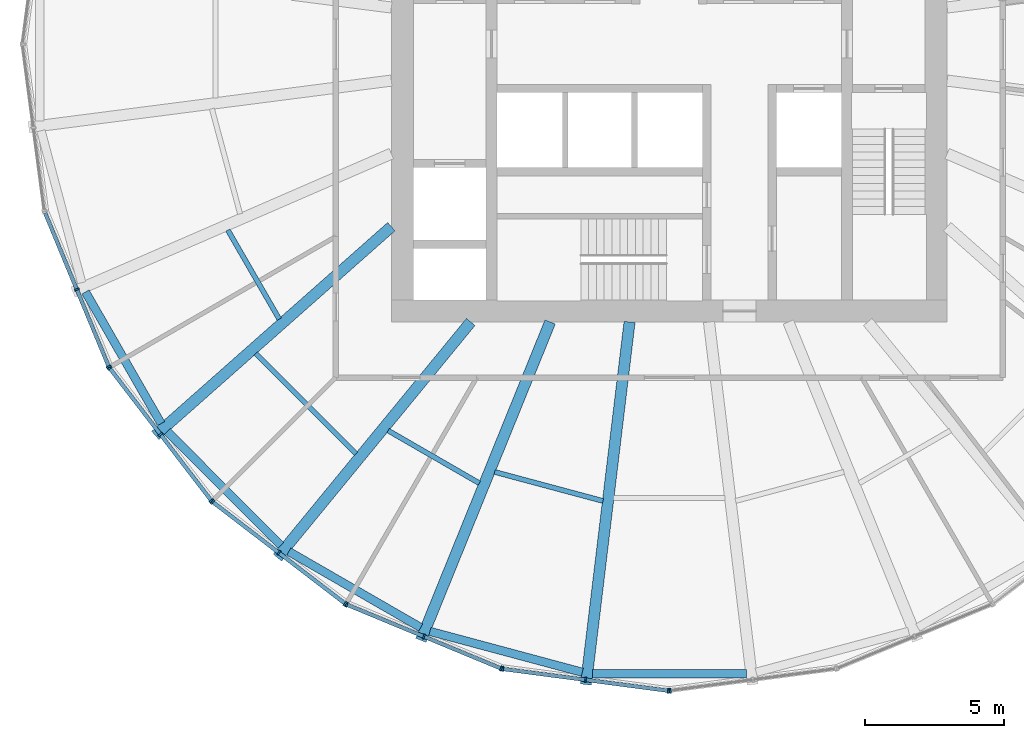
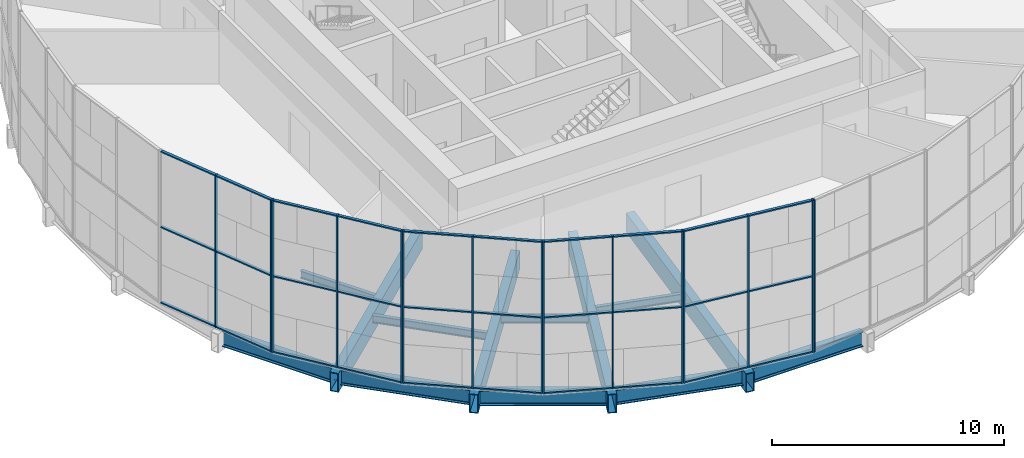
# One storey, part 1 of 18: 45 members, 13 beams, 6 elements without a shape of their own.
"""IFC4 building model written with IfcOpenShell, lengths in metres."""

import ifcopenshell
import ifcopenshell.guid

model = None  # the IFC model being written
_history = None  # IfcOwnerHistory: only IFC2X3 demands one
_inside = {}  # id of a spatial element -> (the spatial element, [elements in it])
_under = {}  # id of a project, library or spatial element -> (it, [spatial elements below it])
_declared = {}  # id of a project -> (the project, [libraries it declares])
_typed = {}  # id of a type object -> (the type object, [elements of that type])
_made_of = {}  # id of a material, layer set ... -> (it, [elements and type objects made of it])


def new_model(schema):
    """Start an empty IFC model of exactly this schema.

    Asked for "IFC4X3", IfcOpenShell would pick the latest addendum, in which some entities
    have other attributes; the version numbers below select the first issue.
    IFC2X3 requires an IfcOwnerHistory on every rooted entity: one is made here for all.
    """
    global model, _history
    if schema == "IFC4X3":
        model = ifcopenshell.file(schema_version=(4, 3, 0, 0))
    else:
        model = ifcopenshell.file(schema=schema)
    _inside.clear()
    _under.clear()
    _declared.clear()
    _typed.clear()
    _made_of.clear()
    _history = None
    if model.schema == "IFC2X3":
        org = make("IfcOrganization", Name="unknown")
        user = make(
            "IfcPersonAndOrganization",
            ThePerson=make("IfcPerson", FamilyName="unknown"),
            TheOrganization=org,
        )
        app = make(
            "IfcApplication",
            ApplicationDeveloper=org,
            Version="unknown",
            ApplicationFullName="unknown",
            ApplicationIdentifier="unknown",
        )
        _history = make(
            "IfcOwnerHistory",
            OwningUser=user,
            OwningApplication=app,
            ChangeAction="ADDED",
            CreationDate=0,
        )
    return model


def make(cls, **values):
    """One entity of the class cls with the attributes given. An attribute that is None is left unset."""
    return model.create_entity(
        cls, **{name: value for name, value in values.items() if value is not None}
    )


def rooted(cls, **values):
    """An entity with a GlobalId (a new one), such as an element, a storey or a relation."""
    return make(cls, GlobalId=ifcopenshell.guid.new(), OwnerHistory=_history, **values)


def si_unit(unit_type, name, prefix=None):
    """IfcSIUnit, for example si_unit("LENGTHUNIT", "METRE", prefix="MILLI")."""
    return make("IfcSIUnit", UnitType=unit_type, Prefix=prefix, Name=name)


def assignment(units):
    """IfcUnitAssignment: the units of a project."""
    return None if units is None else make("IfcUnitAssignment", Units=units)


def point(xyz):
    """IfcCartesianPoint."""
    return None if xyz is None else make("IfcCartesianPoint", Coordinates=xyz)


def direction(xyz):
    """IfcDirection."""
    return None if xyz is None else make("IfcDirection", DirectionRatios=xyz)


def frame(location, z_axis=None, x_axis=None):
    """IfcAxis2Placement3D, a coordinate frame: its origin and axes. An axis left out is left unset."""
    return make(
        "IfcAxis2Placement3D",
        Location=point(location),
        Axis=direction(z_axis),
        RefDirection=direction(x_axis),
    )


def frame_2d(location, x_axis=None):
    """IfcAxis2Placement2D, a coordinate frame in the plane: its origin and x axis."""
    return make(
        "IfcAxis2Placement2D", Location=point(location), RefDirection=direction(x_axis)
    )


def origin():
    """The frame at (0, 0, 0) with its axes left unset."""
    return frame((0.0, 0.0, 0.0))


def origin_2d():
    """The frame at (0, 0) in the plane with its x axis left unset."""
    return frame_2d((0.0, 0.0))


def place(relative_to, where):
    """IfcLocalPlacement: puts the frame where relative to a parent placement (None: the world)."""
    return make(
        "IfcLocalPlacement", PlacementRelTo=relative_to, RelativePlacement=where
    )


def context(
    kind, dimensions, precision=None, world=None, true_north=None, identifier=None
):
    """IfcGeometricRepresentationContext, for example the 3D "Model" context."""
    return make(
        "IfcGeometricRepresentationContext",
        ContextIdentifier=identifier,
        ContextType=kind,
        CoordinateSpaceDimension=dimensions,
        Precision=precision,
        WorldCoordinateSystem=world,
        TrueNorth=true_north,
    )


def subcontext(parent, identifier, kind, view, scale=None):
    """IfcGeometricRepresentationSubContext, for example "Body" below "Model"."""
    return make(
        "IfcGeometricRepresentationSubContext",
        ContextIdentifier=identifier,
        ContextType=kind,
        ParentContext=parent,
        TargetScale=scale,
        TargetView=view,
    )


def project(units=None, contexts=None):
    """IfcProject with its units and contexts."""
    return rooted(
        "IfcProject",
        Name="project",
        RepresentationContexts=contexts,
        UnitsInContext=assignment(units),
    )


def spatial(cls, under=None, at=None, **own):
    """A site, building, storey or space (cls), placed at a placement, below another one or the project."""
    s = rooted(cls, ObjectPlacement=at, **own)
    if under is not None:
        _under.setdefault(under.id(), (under, []))[1].append(s)
    return s


def profile(cls, at=None, kind="AREA", **sizes):
    """A parametric profile (cls). Its sizes go by their IFC names, for example OverallWidth=200.0."""
    return make(cls, ProfileType=kind, Position=at, **sizes)


def rectangle(**sizes):
    """IfcRectangleProfileDef."""
    return profile("IfcRectangleProfileDef", **sizes)


def hollow_rectangle(**sizes):
    """IfcRectangleHollowProfileDef."""
    return profile("IfcRectangleHollowProfileDef", **sizes)


def i_section(**sizes):
    """IfcIShapeProfileDef."""
    return profile("IfcIShapeProfileDef", **sizes)


def extrude(swept, where, along, depth):
    """IfcExtrudedAreaSolid: the profile swept, set in the frame where, extruded along a direction by depth."""
    return make(
        "IfcExtrudedAreaSolid",
        SweptArea=swept,
        Position=where,
        ExtrudedDirection=direction(along),
        Depth=depth,
    )


def shape(context_of_items, identifier, shape_type, items):
    """IfcShapeRepresentation: the items that make up one representation, for example the "Body"."""
    return make(
        "IfcShapeRepresentation",
        ContextOfItems=context_of_items,
        RepresentationIdentifier=identifier,
        RepresentationType=shape_type,
        Items=items,
    )


def material(Name=None, Category=None):
    """IfcMaterial."""
    return make("IfcMaterial", Name=Name, Category=Category)


def material_profile(
    of_material, cross_section, Name=None, Category=None, Priority=None
):
    """IfcMaterialProfile: a cross section and its material."""
    return make(
        "IfcMaterialProfile",
        Name=Name,
        Material=of_material,
        Profile=cross_section,
        Priority=Priority,
        Category=Category,
    )


def profile_set(profiles, Name=None, composite=None):
    """IfcMaterialProfileSet."""
    return make(
        "IfcMaterialProfileSet",
        Name=Name,
        MaterialProfiles=profiles,
        CompositeProfile=composite,
    )


def made_of(thing, what):
    """Note that an element or type object is made of a material, layer set ...; save() writes the relation."""
    if what is not None:
        _made_of.setdefault(what.id(), (what, []))[1].append(thing)
    return thing


def type_object(cls, material=None, **own):
    """A type object (cls), such as IfcWallType, which elements share."""
    return made_of(rooted(cls, **own), material)


def element(
    cls,
    number,
    at=None,
    inside=None,
    cuts=None,
    type_object=None,
    material=None,
    context=None,
    identifier="Body",
    shape_type=None,
    held_by="IfcProductDefinitionShape",
    body=None,
    shapes=None,
    **own,
):
    """One element of the class cls, such as IfcWall. Its Tag is "e" and its number.

    at: its placement. inside: the storey or other place that contains it. cuts: it is an
    opening in that element (IfcRelVoidsElement). A single representation is given by context,
    identifier, shape_type and body (its items); several are given by shapes. held_by: the class
    of the entity that holds the representations. save() writes the other relations.
    """
    e = rooted(cls, Tag="e%d" % number, ObjectPlacement=at, **own)
    if body is not None:
        shapes = [shape(context, identifier, shape_type, body)]
    if shapes is not None:
        e.Representation = make(held_by, Representations=shapes)
    if inside is not None:
        _inside.setdefault(inside.id(), (inside, []))[1].append(e)
    if cuts is not None:
        rooted(
            "IfcRelVoidsElement", RelatingBuildingElement=cuts, RelatedOpeningElement=e
        )
    if type_object is not None:
        _typed.setdefault(type_object.id(), (type_object, []))[1].append(e)
    return made_of(e, material)


def aggregate(whole, parts):
    """IfcRelAggregates: a whole, such as a stair, and the parts it consists of."""
    return rooted("IfcRelAggregates", RelatingObject=whole, RelatedObjects=parts)


def save(model, path):
    """Write the relations noted so far, then the file.

    IfcRelAggregates (storeys below a building ...), IfcRelContainedInSpatialStructure (elements
    in a storey), IfcRelDefinesByType, IfcRelAssociatesMaterial and IfcRelDeclares: one each for
    every whole, place, type object, material and project.
    """
    for whole, parts in _under.values():
        aggregate(whole, parts)
    for where, things in _inside.values():
        rooted(
            "IfcRelContainedInSpatialStructure",
            RelatedElements=things,
            RelatingStructure=where,
        )
    for kind, things in _typed.values():
        rooted("IfcRelDefinesByType", RelatedObjects=things, RelatingType=kind)
    for what, things in _made_of.values():
        rooted("IfcRelAssociatesMaterial", RelatedObjects=things, RelatingMaterial=what)
    for by, libraries in _declared.values():
        rooted("IfcRelDeclares", RelatingContext=by, RelatedDefinitions=libraries)
    model.write(path)


model = new_model("IFC4")

# Units and contexts
model_context = context("Model", 3, precision=1e-05, world=origin(), true_north=direction((0.0, 1.0)))
body_context = subcontext(model_context, "Body", "Model", "MODEL_VIEW")
ifc_project = project(units=[si_unit("LENGTHUNIT", "METRE"), si_unit("AREAUNIT", "SQUARE_METRE"), si_unit("VOLUMEUNIT", "CUBIC_METRE"), si_unit("PLANEANGLEUNIT", "RADIAN"), si_unit("MASSUNIT", "GRAM", prefix="KILO")], contexts=[model_context])

# Site, building, storey
site_placement = place(None, origin())
site = spatial("IfcSite", under=ifc_project, at=site_placement, CompositionType="ELEMENT")
building_placement = place(site_placement, origin())
building = spatial("IfcBuilding", under=site, at=building_placement, Name="Golbaran Civic Tower", CompositionType="ELEMENT")
storey_placement = place(building_placement, frame((0.0, 0.0, 45.0)))
storey = spatial("IfcBuildingStorey", under=building, at=storey_placement, Name="L10", CompositionType="ELEMENT", Elevation=45.0)

# Beams
ifc_material_1 = material(Name="Steel S355", Category="steel")
ifc_material_profile_1 = material_profile(ifc_material_1, i_section(OverallWidth=0.300048828125, OverallDepth=0.800048828125, WebThickness=0.017578125, FlangeThickness=0.032958984375, FilletRadius=0.030029296875, at=origin_2d()), Name="HEB 800")
ifc_profile_set_1 = profile_set([ifc_material_profile_1], Name="Steel S355")
beam_type_1 = type_object("IfcBeamType", Name="EDGE BEAM HEB 800", PredefinedType="BEAM", material=ifc_profile_set_1)
beam_1_placement = place(storey_placement, frame((-21.004150390625, -8.919677734375, -0.60009765625), z_axis=(0.498279627298, -0.86701638567, 0.0), x_axis=(0.86701638567, 0.498279627298, 0.0)))
element("IfcBeam", 1, at=beam_1_placement, inside=storey, type_object=beam_type_1, Name="Edge beam 202.60 L10", PredefinedType="BEAM", context=body_context, shape_type="SweptSolid", body=[
    extrude(i_section(OverallWidth=0.300048828125, OverallDepth=0.800048828125, WebThickness=0.017578125, FlangeThickness=0.032958984375, FilletRadius=0.030029296875, at=origin_2d()), origin(), (0.0, 0.0, 1.0), 5.461669921875),
])
beam_2_placement = place(storey_placement, frame((-18.063720703125, -13.94189453125, -0.60009765625), z_axis=(0.706495106586, -0.707717927122, 0.0), x_axis=(0.707717927122, 0.706495106586, 0.0)))
element("IfcBeam", 2, at=beam_2_placement, inside=storey, type_object=beam_type_1, Name="Edge beam 217.40 L10", PredefinedType="BEAM", context=body_context, shape_type="SweptSolid", body=[
    extrude(i_section(OverallWidth=0.300048828125, OverallDepth=0.800048828125, WebThickness=0.017578125, FlangeThickness=0.032958984375, FilletRadius=0.030029296875, at=origin_2d()), origin(), (0.0, 0.0, 1.0), 5.7900390625),
])
beam_3_placement = place(storey_placement, frame((-13.687255859375, -18.2587890625, -0.60009765625), z_axis=(0.866313230191, -0.499501138334, 0.0), x_axis=(0.499501138334, 0.866313230191, 0.0)))
element("IfcBeam", 3, at=beam_3_placement, inside=storey, type_object=beam_type_1, Name="Edge beam 232.60 L10", PredefinedType="BEAM", context=body_context, shape_type="SweptSolid", body=[
    extrude(i_section(OverallWidth=0.300048828125, OverallDepth=0.800048828125, WebThickness=0.017578125, FlangeThickness=0.032958984375, FilletRadius=0.030029296875, at=origin_2d()), origin(), (0.0, 0.0, 1.0), 5.4755859375),
])
beam_4_placement = place(storey_placement, frame((-8.61083984375, -21.131591796875, -0.60009765625), z_axis=(0.965816844102, -0.259225430173, 0.0), x_axis=(0.259225430173, 0.965816844102, 0.0)))
element("IfcBeam", 4, at=beam_4_placement, inside=storey, type_object=beam_type_1, Name="Edge beam 247.40 L10", PredefinedType="BEAM", context=body_context, shape_type="SweptSolid", body=[
    extrude(i_section(OverallWidth=0.300048828125, OverallDepth=0.800048828125, WebThickness=0.017578125, FlangeThickness=0.032958984375, FilletRadius=0.030029296875, at=origin_2d()), origin(), (0.0, 0.0, 1.0), 5.67724609375),
])
beam_5_placement = place(storey_placement, frame((-2.770751953125, -22.650390625, -0.60009765625), z_axis=(1.0, 0.0, 0.0), x_axis=(0.0, 1.0, 0.0)))
element("IfcBeam", 5, at=beam_5_placement, inside=storey, type_object=beam_type_1, Name="Edge beam 262.60 L10", PredefinedType="BEAM", context=body_context, shape_type="SweptSolid", body=[
    extrude(i_section(OverallWidth=0.300048828125, OverallDepth=0.800048828125, WebThickness=0.017578125, FlangeThickness=0.032958984375, FilletRadius=0.030029296875, at=origin_2d()), origin(), (0.0, 0.0, 1.0), 5.54150390625),
])
ifc_material_profile_2 = material_profile(ifc_material_1, i_section(OverallWidth=0.179931640625, OverallDepth=0.39990234375, WebThickness=0.008544921875, FlangeThickness=0.013427734375, FilletRadius=0.02099609375, at=origin_2d()), Name="IPE 400")
ifc_profile_set_2 = profile_set([ifc_material_profile_2], Name="Steel S355")
beam_type_2 = type_object("IfcBeamType", Name="FLOOR INFILL BEAM IPE 400", PredefinedType="BEAM", material=ifc_profile_set_2)
beam_6_placement = place(storey_placement, frame((-15.8818359375, -6.6943359375, -0.39990234375), z_axis=(0.500015802937, -0.866016279763, 0.0), x_axis=(0.866016279763, 0.500015802937, 0.0)))
element("IfcBeam", 6, at=beam_6_placement, inside=storey, type_object=beam_type_2, Name="Infill beam 210.00 L10", PredefinedType="BEAM", context=body_context, shape_type="SweptSolid", body=[
    extrude(i_section(OverallWidth=0.179931640625, OverallDepth=0.39990234375, WebThickness=0.008544921875, FlangeThickness=0.013427734375, FilletRadius=0.02099609375, at=origin_2d()), origin(), (0.0, 0.0, 1.0), 3.6982421875),
])
beam_7_placement = place(storey_placement, frame((-14.87890625, -11.125732421875, -0.39990234375), z_axis=(0.707130665491, -0.707082896075, 0.0), x_axis=(0.707082896075, 0.707130665491, 0.0)))
element("IfcBeam", 7, at=beam_7_placement, inside=storey, type_object=beam_type_2, Name="Infill beam 225.00 L10", PredefinedType="BEAM", context=body_context, shape_type="SweptSolid", body=[
    extrude(i_section(OverallWidth=0.179931640625, OverallDepth=0.39990234375, WebThickness=0.008544921875, FlangeThickness=0.013427734375, FilletRadius=0.02099609375, at=origin_2d()), origin(), (0.0, 0.0, 1.0), 5.11083984375),
])
beam_8_placement = place(storey_placement, frame((-10.115478515625, -13.90625, -0.39990234375), z_axis=(0.866049280635, -0.499958641801, 0.0), x_axis=(0.499958641801, 0.866049280635, 0.0)))
element("IfcBeam", 8, at=beam_8_placement, inside=storey, type_object=beam_type_2, Name="Infill beam 240.00 L10", PredefinedType="BEAM", context=body_context, shape_type="SweptSolid", body=[
    extrude(i_section(OverallWidth=0.179931640625, OverallDepth=0.39990234375, WebThickness=0.008544921875, FlangeThickness=0.013427734375, FilletRadius=0.02099609375, at=origin_2d()), origin(), (0.0, 0.0, 1.0), 3.787841796875),
])
beam_9_placement = place(storey_placement, frame((-6.2822265625, -15.395751953125, -0.39990234375), z_axis=(0.965921848055, -0.258833891619, 0.0), x_axis=(0.258833891619, 0.965921848055, 0.0)))
element("IfcBeam", 9, at=beam_9_placement, inside=storey, type_object=beam_type_2, Name="Infill beam 255.00 L10", PredefinedType="BEAM", context=body_context, shape_type="SweptSolid", body=[
    extrude(i_section(OverallWidth=0.179931640625, OverallDepth=0.39990234375, WebThickness=0.008544921875, FlangeThickness=0.013427734375, FilletRadius=0.02099609375, at=origin_2d()), origin(), (0.0, 0.0, 1.0), 4.0341796875),
])

# Curtain wall, members
ifc_material_2 = material(Name="Aluminium and glass", Category="aluminium")
curtain_wall_type = type_object("IfcCurtainWallType", Name="INNER SKIN CURTAIN WALL", PredefinedType="NOTDEFINED", material=ifc_material_2)
curtain_wall_1_placement = place(storey_placement, origin())
curtain_wall_1 = element("IfcCurtainWall", 10, at=curtain_wall_1_placement, inside=storey, type_object=curtain_wall_type, Name="Inner skin L10 facet 14 CW1", ObjectType="INNER SKIN", PredefinedType="USERDEFINED")
ifc_material_3 = material(Name="Aluminium", Category="aluminium")
ifc_material_profile_3 = material_profile(ifc_material_3, rectangle(XDim=0.179931640625, YDim=0.06494140625, at=origin_2d()), Name="INNER SKIN CURTAIN WALL MULLION")
ifc_profile_set_3 = profile_set([ifc_material_profile_3], Name="Aluminium")
member_type_1 = type_object("IfcMemberType", Name="INNER SKIN CURTAIN WALL MULLION", PredefinedType="MULLION", material=ifc_profile_set_3)
member_1_placement = place(storey_placement, frame((-21.315673828125, -8.829345703125, 0.0), z_axis=(0.0, 0.0, 1.0), x_axis=(0.923879532451, 0.38268343251, 0.0)))
member_1 = element("IfcMember", 11, at=member_1_placement, type_object=member_type_1, Name="CW1 mullion 2", PredefinedType="MULLION", context=body_context, shape_type="SweptSolid", body=[
    extrude(rectangle(XDim=0.179931640625, YDim=0.06494140625, at=origin_2d()), origin(), (0.0, 0.0, 1.0), 8.0),
])
member_2_placement = place(storey_placement, frame((-20.165771484375, -11.60546875, 0.0), z_axis=(0.0, 0.0, 1.0), x_axis=(0.923879532451, 0.38268343251, 0.0)))
member_2 = element("IfcMember", 12, at=member_2_placement, type_object=member_type_1, Name="CW1 mullion 3", PredefinedType="MULLION", context=body_context, shape_type="SweptSolid", body=[
    extrude(rectangle(XDim=0.179931640625, YDim=0.06494140625, at=origin_2d()), origin(), (0.0, 0.0, 1.0), 8.0),
])

curtain_wall_2_placement = place(storey_placement, origin())
curtain_wall_2 = element("IfcCurtainWall", 13, at=curtain_wall_2_placement, inside=storey, type_object=curtain_wall_type, Name="Inner skin L10 facet 15 CW1", ObjectType="INNER SKIN", PredefinedType="USERDEFINED")
member_3_placement = place(storey_placement, frame((-20.133544921875, -11.661376953125, 0.0), z_axis=(0.0, 0.0, 1.0), x_axis=(0.793353340334, 0.608761428953, 0.0)))
member_3 = element("IfcMember", 14, at=member_3_placement, type_object=member_type_1, Name="CW1 mullion 1", PredefinedType="MULLION", context=body_context, shape_type="SweptSolid", body=[
    extrude(rectangle(XDim=0.179931640625, YDim=0.06494140625, at=origin_2d()), origin(), (0.0, 0.0, 1.0), 8.0),
])
member_4_placement = place(storey_placement, frame((-18.30419921875, -14.04541015625, 0.0), z_axis=(0.0, 0.0, 1.0), x_axis=(0.793353340334, 0.608761428953, 0.0)))
member_4 = element("IfcMember", 15, at=member_4_placement, type_object=member_type_1, Name="CW1 mullion 2", PredefinedType="MULLION", context=body_context, shape_type="SweptSolid", body=[
    extrude(rectangle(XDim=0.179931640625, YDim=0.06494140625, at=origin_2d()), origin(), (0.0, 0.0, 1.0), 8.0),
])
member_5_placement = place(storey_placement, frame((-16.474853515625, -16.42919921875, 0.0), z_axis=(0.0, 0.0, 1.0), x_axis=(0.793353340334, 0.608761428953, 0.0)))
member_5 = element("IfcMember", 16, at=member_5_placement, type_object=member_type_1, Name="CW1 mullion 3", PredefinedType="MULLION", context=body_context, shape_type="SweptSolid", body=[
    extrude(rectangle(XDim=0.179931640625, YDim=0.06494140625, at=origin_2d()), origin(), (0.0, 0.0, 1.0), 8.0),
])

curtain_wall_3_placement = place(storey_placement, origin())
curtain_wall_3 = element("IfcCurtainWall", 17, at=curtain_wall_3_placement, inside=storey, type_object=curtain_wall_type, Name="Inner skin L10 facet 16 CW1", ObjectType="INNER SKIN", PredefinedType="USERDEFINED")
member_6_placement = place(storey_placement, frame((-16.42919921875, -16.474853515625, 0.0), z_axis=(0.0, 0.0, 1.0), x_axis=(0.608761428953, 0.793353340334, 0.0)))
member_6 = element("IfcMember", 18, at=member_6_placement, type_object=member_type_1, Name="CW1 mullion 1", PredefinedType="MULLION", context=body_context, shape_type="SweptSolid", body=[
    extrude(rectangle(XDim=0.179931640625, YDim=0.06494140625, at=origin_2d()), origin(), (0.0, 0.0, 1.0), 8.0),
])
member_7_placement = place(storey_placement, frame((-14.04541015625, -18.30419921875, 0.0), z_axis=(0.0, 0.0, 1.0), x_axis=(0.608761428953, 0.793353340334, 0.0)))
member_7 = element("IfcMember", 19, at=member_7_placement, type_object=member_type_1, Name="CW1 mullion 2", PredefinedType="MULLION", context=body_context, shape_type="SweptSolid", body=[
    extrude(rectangle(XDim=0.179931640625, YDim=0.06494140625, at=origin_2d()), origin(), (0.0, 0.0, 1.0), 8.0),
])
member_8_placement = place(storey_placement, frame((-11.661376953125, -20.133544921875, 0.0), z_axis=(0.0, 0.0, 1.0), x_axis=(0.608761428953, 0.793353340334, 0.0)))
member_8 = element("IfcMember", 20, at=member_8_placement, type_object=member_type_1, Name="CW1 mullion 3", PredefinedType="MULLION", context=body_context, shape_type="SweptSolid", body=[
    extrude(rectangle(XDim=0.179931640625, YDim=0.06494140625, at=origin_2d()), origin(), (0.0, 0.0, 1.0), 8.0),
])

curtain_wall_4_placement = place(storey_placement, origin())
curtain_wall_4 = element("IfcCurtainWall", 21, at=curtain_wall_4_placement, inside=storey, type_object=curtain_wall_type, Name="Inner skin L10 facet 17 CW1", ObjectType="INNER SKIN", PredefinedType="USERDEFINED")
member_9_placement = place(storey_placement, frame((-11.60546875, -20.165771484375, 0.0), z_axis=(0.0, 0.0, 1.0), x_axis=(0.38268343251, 0.923879532451, 0.0)))
member_9 = element("IfcMember", 22, at=member_9_placement, type_object=member_type_1, Name="CW1 mullion 1", PredefinedType="MULLION", context=body_context, shape_type="SweptSolid", body=[
    extrude(rectangle(XDim=0.179931640625, YDim=0.06494140625, at=origin_2d()), origin(), (0.0, 0.0, 1.0), 8.0),
])
member_10_placement = place(storey_placement, frame((-8.829345703125, -21.315673828125, 0.0), z_axis=(0.0, 0.0, 1.0), x_axis=(0.38268343251, 0.923879532451, 0.0)))
member_10 = element("IfcMember", 23, at=member_10_placement, type_object=member_type_1, Name="CW1 mullion 2", PredefinedType="MULLION", context=body_context, shape_type="SweptSolid", body=[
    extrude(rectangle(XDim=0.179931640625, YDim=0.06494140625, at=origin_2d()), origin(), (0.0, 0.0, 1.0), 8.0),
])
member_11_placement = place(storey_placement, frame((-6.052978515625, -22.465576171875, 0.0), z_axis=(0.0, 0.0, 1.0), x_axis=(0.38268343251, 0.923879532451, 0.0)))
member_11 = element("IfcMember", 24, at=member_11_placement, type_object=member_type_1, Name="CW1 mullion 3", PredefinedType="MULLION", context=body_context, shape_type="SweptSolid", body=[
    extrude(rectangle(XDim=0.179931640625, YDim=0.06494140625, at=origin_2d()), origin(), (0.0, 0.0, 1.0), 8.0),
])

curtain_wall_5_placement = place(storey_placement, origin())
curtain_wall_5 = element("IfcCurtainWall", 25, at=curtain_wall_5_placement, inside=storey, type_object=curtain_wall_type, Name="Inner skin L10 facet 18 CW1", ObjectType="INNER SKIN", PredefinedType="USERDEFINED")
member_12_placement = place(storey_placement, frame((-5.99072265625, -22.482421875, 0.0), z_axis=(0.0, 0.0, 1.0), x_axis=(0.130526192134, 0.991444861385, 0.0)))
member_12 = element("IfcMember", 26, at=member_12_placement, type_object=member_type_1, Name="CW1 mullion 1", PredefinedType="MULLION", context=body_context, shape_type="SweptSolid", body=[
    extrude(rectangle(XDim=0.179931640625, YDim=0.06494140625, at=origin_2d()), origin(), (0.0, 0.0, 1.0), 8.0),
])
member_13_placement = place(storey_placement, frame((-3.011474609375, -22.87451171875, 0.0), z_axis=(0.0, 0.0, 1.0), x_axis=(0.130526192134, 0.991444861385, 0.0)))
member_13 = element("IfcMember", 27, at=member_13_placement, type_object=member_type_1, Name="CW1 mullion 2", PredefinedType="MULLION", context=body_context, shape_type="SweptSolid", body=[
    extrude(rectangle(XDim=0.179931640625, YDim=0.06494140625, at=origin_2d()), origin(), (0.0, 0.0, 1.0), 8.0),
])
member_14_placement = place(storey_placement, frame((-0.0322265625, -23.266845703125, 0.0), z_axis=(0.0, 0.0, 1.0), x_axis=(0.130526192134, 0.991444861385, 0.0)))
member_14 = element("IfcMember", 28, at=member_14_placement, type_object=member_type_1, Name="CW1 mullion 3", PredefinedType="MULLION", context=body_context, shape_type="SweptSolid", body=[
    extrude(rectangle(XDim=0.179931640625, YDim=0.06494140625, at=origin_2d()), origin(), (0.0, 0.0, 1.0), 8.0),
])

# Curtain wall, member
curtain_wall_6_placement = place(storey_placement, origin())
curtain_wall_6 = element("IfcCurtainWall", 29, at=curtain_wall_6_placement, inside=storey, type_object=curtain_wall_type, Name="Inner skin L10 facet 19 CW1", ObjectType="INNER SKIN", PredefinedType="USERDEFINED")
member_15_placement = place(storey_placement, frame((0.0322265625, -23.266845703125, 0.0), z_axis=(0.0, 0.0, 1.0), x_axis=(-0.130526192134, 0.991444861385, 0.0)))
member_15 = element("IfcMember", 30, at=member_15_placement, type_object=member_type_1, Name="CW1 mullion 1", PredefinedType="MULLION", context=body_context, shape_type="SweptSolid", body=[
    extrude(rectangle(XDim=0.179931640625, YDim=0.06494140625, at=origin_2d()), origin(), (0.0, 0.0, 1.0), 8.0),
])
aggregate(curtain_wall_6, [member_15])

# Member
ifc_material_profile_4 = material_profile(ifc_material_3, rectangle(XDim=0.139892578125, YDim=0.06494140625, at=origin_2d()), Name="INNER SKIN CURTAIN WALL TRANSOM")
ifc_profile_set_4 = profile_set([ifc_material_profile_4], Name="Aluminium")
member_type_2 = type_object("IfcMemberType", Name="INNER SKIN CURTAIN WALL TRANSOM", PredefinedType="USERDEFINED", material=ifc_profile_set_4)
member_16_placement = place(storey_placement, frame((-22.453125, -6.0830078125, 0.032470703125), z_axis=(0.382645150923, -0.923895388275, 0.0), x_axis=(0.923895388275, 0.382645150923, 0.0)))
member_16 = element("IfcMember", 31, at=member_16_placement, type_object=member_type_2, Name="CW1 transom 1.1", ObjectType="TRANSOM", PredefinedType="USERDEFINED", context=body_context, shape_type="SweptSolid", body=[
    extrude(rectangle(XDim=0.139892578125, YDim=0.06494140625, at=origin_2d()), origin(), (0.0, 0.0, 1.0), 2.93994140625),
])

member_17_placement = place(storey_placement, frame((-22.453125, -6.0830078125, 4.0), z_axis=(0.382645150923, -0.923895388275, 0.0), x_axis=(0.923895388275, 0.382645150923, 0.0)))
member_17 = element("IfcMember", 32, at=member_17_placement, type_object=member_type_2, Name="CW1 transom 1.2", ObjectType="TRANSOM", PredefinedType="USERDEFINED", context=body_context, shape_type="SweptSolid", body=[
    extrude(rectangle(XDim=0.139892578125, YDim=0.06494140625, at=origin_2d()), origin(), (0.0, 0.0, 1.0), 2.93994140625),
])

member_18_placement = place(storey_placement, frame((-22.453125, -6.0830078125, 7.967529296875), z_axis=(0.382645150923, -0.923895388275, 0.0), x_axis=(0.923895388275, 0.382645150923, 0.0)))
member_18 = element("IfcMember", 33, at=member_18_placement, type_object=member_type_2, Name="CW1 transom 1.3", ObjectType="TRANSOM", PredefinedType="USERDEFINED", context=body_context, shape_type="SweptSolid", body=[
    extrude(rectangle(XDim=0.139892578125, YDim=0.06494140625, at=origin_2d()), origin(), (0.0, 0.0, 1.0), 2.93994140625),
])

member_19_placement = place(storey_placement, frame((-21.30322265625, -8.859375, 0.032470703125), z_axis=(0.38267450938, -0.923883228482, 0.0), x_axis=(0.923883228482, 0.38267450938, 0.0)))
member_19 = element("IfcMember", 34, at=member_19_placement, type_object=member_type_2, Name="CW1 transom 2.1", ObjectType="TRANSOM", PredefinedType="USERDEFINED", context=body_context, shape_type="SweptSolid", body=[
    extrude(rectangle(XDim=0.139892578125, YDim=0.06494140625, at=origin_2d()), origin(), (0.0, 0.0, 1.0), 2.93994140625),
])

member_20_placement = place(storey_placement, frame((-21.30322265625, -8.859375, 4.0), z_axis=(0.38267450938, -0.923883228482, 0.0), x_axis=(0.923883228482, 0.38267450938, 0.0)))
member_20 = element("IfcMember", 35, at=member_20_placement, type_object=member_type_2, Name="CW1 transom 2.2", ObjectType="TRANSOM", PredefinedType="USERDEFINED", context=body_context, shape_type="SweptSolid", body=[
    extrude(rectangle(XDim=0.139892578125, YDim=0.06494140625, at=origin_2d()), origin(), (0.0, 0.0, 1.0), 2.93994140625),
])

member_21_placement = place(storey_placement, frame((-21.30322265625, -8.859375, 7.967529296875), z_axis=(0.38267450938, -0.923883228482, 0.0), x_axis=(0.923883228482, 0.38267450938, 0.0)))
member_21 = element("IfcMember", 36, at=member_21_placement, type_object=member_type_2, Name="CW1 transom 2.3", ObjectType="TRANSOM", PredefinedType="USERDEFINED", context=body_context, shape_type="SweptSolid", body=[
    extrude(rectangle(XDim=0.139892578125, YDim=0.06494140625, at=origin_2d()), origin(), (0.0, 0.0, 1.0), 2.93994140625),
])

aggregate(curtain_wall_1, [member_1, member_2, member_16, member_17, member_18, member_19, member_20, member_21])

member_22_placement = place(storey_placement, frame((-20.11376953125, -11.68701171875, 0.032470703125), z_axis=(0.608759231597, -0.793355026419, 0.0), x_axis=(0.793355026419, 0.608759231597, 0.0)))
member_22 = element("IfcMember", 37, at=member_22_placement, type_object=member_type_2, Name="CW1 transom 1.1", ObjectType="TRANSOM", PredefinedType="USERDEFINED", context=body_context, shape_type="SweptSolid", body=[
    extrude(rectangle(XDim=0.139892578125, YDim=0.06494140625, at=origin_2d()), origin(), (0.0, 0.0, 1.0), 2.940185546875),
])

member_23_placement = place(storey_placement, frame((-20.11376953125, -11.68701171875, 4.0), z_axis=(0.608759231597, -0.793355026419, 0.0), x_axis=(0.793355026419, 0.608759231597, 0.0)))
member_23 = element("IfcMember", 38, at=member_23_placement, type_object=member_type_2, Name="CW1 transom 1.2", ObjectType="TRANSOM", PredefinedType="USERDEFINED", context=body_context, shape_type="SweptSolid", body=[
    extrude(rectangle(XDim=0.139892578125, YDim=0.06494140625, at=origin_2d()), origin(), (0.0, 0.0, 1.0), 2.940185546875),
])

member_24_placement = place(storey_placement, frame((-20.11376953125, -11.68701171875, 7.967529296875), z_axis=(0.608759231597, -0.793355026419, 0.0), x_axis=(0.793355026419, 0.608759231597, 0.0)))
member_24 = element("IfcMember", 39, at=member_24_placement, type_object=member_type_2, Name="CW1 transom 1.3", ObjectType="TRANSOM", PredefinedType="USERDEFINED", context=body_context, shape_type="SweptSolid", body=[
    extrude(rectangle(XDim=0.139892578125, YDim=0.06494140625, at=origin_2d()), origin(), (0.0, 0.0, 1.0), 2.940185546875),
])

member_25_placement = place(storey_placement, frame((-18.284423828125, -14.071044921875, 0.032470703125), z_axis=(0.608759231597, -0.793355026419, 0.0), x_axis=(0.793355026419, 0.608759231597, 0.0)))
member_25 = element("IfcMember", 40, at=member_25_placement, type_object=member_type_2, Name="CW1 transom 2.1", ObjectType="TRANSOM", PredefinedType="USERDEFINED", context=body_context, shape_type="SweptSolid", body=[
    extrude(rectangle(XDim=0.139892578125, YDim=0.06494140625, at=origin_2d()), origin(), (0.0, 0.0, 1.0), 2.940185546875),
])

member_26_placement = place(storey_placement, frame((-18.284423828125, -14.071044921875, 4.0), z_axis=(0.608759231597, -0.793355026419, 0.0), x_axis=(0.793355026419, 0.608759231597, 0.0)))
member_26 = element("IfcMember", 41, at=member_26_placement, type_object=member_type_2, Name="CW1 transom 2.2", ObjectType="TRANSOM", PredefinedType="USERDEFINED", context=body_context, shape_type="SweptSolid", body=[
    extrude(rectangle(XDim=0.139892578125, YDim=0.06494140625, at=origin_2d()), origin(), (0.0, 0.0, 1.0), 2.940185546875),
])

member_27_placement = place(storey_placement, frame((-18.284423828125, -14.071044921875, 7.967529296875), z_axis=(0.608759231597, -0.793355026419, 0.0), x_axis=(0.793355026419, 0.608759231597, 0.0)))
member_27 = element("IfcMember", 42, at=member_27_placement, type_object=member_type_2, Name="CW1 transom 2.3", ObjectType="TRANSOM", PredefinedType="USERDEFINED", context=body_context, shape_type="SweptSolid", body=[
    extrude(rectangle(XDim=0.139892578125, YDim=0.06494140625, at=origin_2d()), origin(), (0.0, 0.0, 1.0), 2.940185546875),
])

aggregate(curtain_wall_2, [member_3, member_4, member_5, member_22, member_23, member_24, member_25, member_26, member_27])

member_28_placement = place(storey_placement, frame((-16.403564453125, -16.49462890625, 0.032470703125), z_axis=(0.793355026419, -0.608759231597, 0.0), x_axis=(0.608759231597, 0.793355026419, 0.0)))
member_28 = element("IfcMember", 43, at=member_28_placement, type_object=member_type_2, Name="CW1 transom 1.1", ObjectType="TRANSOM", PredefinedType="USERDEFINED", context=body_context, shape_type="SweptSolid", body=[
    extrude(rectangle(XDim=0.139892578125, YDim=0.06494140625, at=origin_2d()), origin(), (0.0, 0.0, 1.0), 2.940185546875),
])

member_29_placement = place(storey_placement, frame((-16.403564453125, -16.49462890625, 4.0), z_axis=(0.793355026419, -0.608759231597, 0.0), x_axis=(0.608759231597, 0.793355026419, 0.0)))
member_29 = element("IfcMember", 44, at=member_29_placement, type_object=member_type_2, Name="CW1 transom 1.2", ObjectType="TRANSOM", PredefinedType="USERDEFINED", context=body_context, shape_type="SweptSolid", body=[
    extrude(rectangle(XDim=0.139892578125, YDim=0.06494140625, at=origin_2d()), origin(), (0.0, 0.0, 1.0), 2.940185546875),
])

member_30_placement = place(storey_placement, frame((-16.403564453125, -16.49462890625, 7.967529296875), z_axis=(0.793355026419, -0.608759231597, 0.0), x_axis=(0.608759231597, 0.793355026419, 0.0)))
member_30 = element("IfcMember", 45, at=member_30_placement, type_object=member_type_2, Name="CW1 transom 1.3", ObjectType="TRANSOM", PredefinedType="USERDEFINED", context=body_context, shape_type="SweptSolid", body=[
    extrude(rectangle(XDim=0.139892578125, YDim=0.06494140625, at=origin_2d()), origin(), (0.0, 0.0, 1.0), 2.940185546875),
])

member_31_placement = place(storey_placement, frame((-14.01953125, -18.323974609375, 0.032470703125), z_axis=(0.793355026419, -0.608759231597, 0.0), x_axis=(0.608759231597, 0.793355026419, 0.0)))
member_31 = element("IfcMember", 46, at=member_31_placement, type_object=member_type_2, Name="CW1 transom 2.1", ObjectType="TRANSOM", PredefinedType="USERDEFINED", context=body_context, shape_type="SweptSolid", body=[
    extrude(rectangle(XDim=0.139892578125, YDim=0.06494140625, at=origin_2d()), origin(), (0.0, 0.0, 1.0), 2.940185546875),
])

member_32_placement = place(storey_placement, frame((-14.01953125, -18.323974609375, 4.0), z_axis=(0.793355026419, -0.608759231597, 0.0), x_axis=(0.608759231597, 0.793355026419, 0.0)))
member_32 = element("IfcMember", 47, at=member_32_placement, type_object=member_type_2, Name="CW1 transom 2.2", ObjectType="TRANSOM", PredefinedType="USERDEFINED", context=body_context, shape_type="SweptSolid", body=[
    extrude(rectangle(XDim=0.139892578125, YDim=0.06494140625, at=origin_2d()), origin(), (0.0, 0.0, 1.0), 2.940185546875),
])

member_33_placement = place(storey_placement, frame((-14.01953125, -18.323974609375, 7.967529296875), z_axis=(0.793355026419, -0.608759231597, 0.0), x_axis=(0.608759231597, 0.793355026419, 0.0)))
member_33 = element("IfcMember", 48, at=member_33_placement, type_object=member_type_2, Name="CW1 transom 2.3", ObjectType="TRANSOM", PredefinedType="USERDEFINED", context=body_context, shape_type="SweptSolid", body=[
    extrude(rectangle(XDim=0.139892578125, YDim=0.06494140625, at=origin_2d()), origin(), (0.0, 0.0, 1.0), 2.940185546875),
])

aggregate(curtain_wall_3, [member_6, member_7, member_8, member_28, member_29, member_30, member_31, member_32, member_33])

member_34_placement = place(storey_placement, frame((-11.575439453125, -20.17822265625, 0.032470703125), z_axis=(0.923883228482, -0.38267450938, 0.0), x_axis=(0.38267450938, 0.923883228482, 0.0)))
member_34 = element("IfcMember", 49, at=member_34_placement, type_object=member_type_2, Name="CW1 transom 1.1", ObjectType="TRANSOM", PredefinedType="USERDEFINED", context=body_context, shape_type="SweptSolid", body=[
    extrude(rectangle(XDim=0.139892578125, YDim=0.06494140625, at=origin_2d()), origin(), (0.0, 0.0, 1.0), 2.93994140625),
])

member_35_placement = place(storey_placement, frame((-11.575439453125, -20.17822265625, 4.0), z_axis=(0.923883228482, -0.38267450938, 0.0), x_axis=(0.38267450938, 0.923883228482, 0.0)))
member_35 = element("IfcMember", 50, at=member_35_placement, type_object=member_type_2, Name="CW1 transom 1.2", ObjectType="TRANSOM", PredefinedType="USERDEFINED", context=body_context, shape_type="SweptSolid", body=[
    extrude(rectangle(XDim=0.139892578125, YDim=0.06494140625, at=origin_2d()), origin(), (0.0, 0.0, 1.0), 2.93994140625),
])

member_36_placement = place(storey_placement, frame((-11.575439453125, -20.17822265625, 7.967529296875), z_axis=(0.923883228482, -0.38267450938, 0.0), x_axis=(0.38267450938, 0.923883228482, 0.0)))
member_36 = element("IfcMember", 51, at=member_36_placement, type_object=member_type_2, Name="CW1 transom 1.3", ObjectType="TRANSOM", PredefinedType="USERDEFINED", context=body_context, shape_type="SweptSolid", body=[
    extrude(rectangle(XDim=0.139892578125, YDim=0.06494140625, at=origin_2d()), origin(), (0.0, 0.0, 1.0), 2.93994140625),
])

member_37_placement = place(storey_placement, frame((-8.79931640625, -21.328125, 0.032470703125), z_axis=(0.923895388275, -0.382645150923, 0.0), x_axis=(0.382645150923, 0.923895388275, 0.0)))
member_37 = element("IfcMember", 52, at=member_37_placement, type_object=member_type_2, Name="CW1 transom 2.1", ObjectType="TRANSOM", PredefinedType="USERDEFINED", context=body_context, shape_type="SweptSolid", body=[
    extrude(rectangle(XDim=0.139892578125, YDim=0.06494140625, at=origin_2d()), origin(), (0.0, 0.0, 1.0), 2.93994140625),
])

member_38_placement = place(storey_placement, frame((-8.79931640625, -21.328125, 4.0), z_axis=(0.923895388275, -0.382645150923, 0.0), x_axis=(0.382645150923, 0.923895388275, 0.0)))
member_38 = element("IfcMember", 53, at=member_38_placement, type_object=member_type_2, Name="CW1 transom 2.2", ObjectType="TRANSOM", PredefinedType="USERDEFINED", context=body_context, shape_type="SweptSolid", body=[
    extrude(rectangle(XDim=0.139892578125, YDim=0.06494140625, at=origin_2d()), origin(), (0.0, 0.0, 1.0), 2.93994140625),
])

member_39_placement = place(storey_placement, frame((-8.79931640625, -21.328125, 7.967529296875), z_axis=(0.923895388275, -0.382645150923, 0.0), x_axis=(0.382645150923, 0.923895388275, 0.0)))
member_39 = element("IfcMember", 54, at=member_39_placement, type_object=member_type_2, Name="CW1 transom 2.3", ObjectType="TRANSOM", PredefinedType="USERDEFINED", context=body_context, shape_type="SweptSolid", body=[
    extrude(rectangle(XDim=0.139892578125, YDim=0.06494140625, at=origin_2d()), origin(), (0.0, 0.0, 1.0), 2.93994140625),
])

aggregate(curtain_wall_4, [member_9, member_10, member_11, member_34, member_35, member_36, member_37, member_38, member_39])

member_40_placement = place(storey_placement, frame((-5.95849609375, -22.486572265625, 0.032470703125), z_axis=(0.99144270301, -0.130542585571, 0.0), x_axis=(0.130542585571, 0.99144270301, 0.0)))
member_40 = element("IfcMember", 55, at=member_40_placement, type_object=member_type_2, Name="CW1 transom 1.1", ObjectType="TRANSOM", PredefinedType="USERDEFINED", context=body_context, shape_type="SweptSolid", body=[
    extrude(rectangle(XDim=0.139892578125, YDim=0.06494140625, at=origin_2d()), origin(), (0.0, 0.0, 1.0), 2.93994140625),
])

member_41_placement = place(storey_placement, frame((-5.95849609375, -22.486572265625, 4.0), z_axis=(0.99144270301, -0.130542585571, 0.0), x_axis=(0.130542585571, 0.99144270301, 0.0)))
member_41 = element("IfcMember", 56, at=member_41_placement, type_object=member_type_2, Name="CW1 transom 1.2", ObjectType="TRANSOM", PredefinedType="USERDEFINED", context=body_context, shape_type="SweptSolid", body=[
    extrude(rectangle(XDim=0.139892578125, YDim=0.06494140625, at=origin_2d()), origin(), (0.0, 0.0, 1.0), 2.93994140625),
])

member_42_placement = place(storey_placement, frame((-5.95849609375, -22.486572265625, 7.967529296875), z_axis=(0.99144270301, -0.130542585571, 0.0), x_axis=(0.130542585571, 0.99144270301, 0.0)))
member_42 = element("IfcMember", 57, at=member_42_placement, type_object=member_type_2, Name="CW1 transom 1.3", ObjectType="TRANSOM", PredefinedType="USERDEFINED", context=body_context, shape_type="SweptSolid", body=[
    extrude(rectangle(XDim=0.139892578125, YDim=0.06494140625, at=origin_2d()), origin(), (0.0, 0.0, 1.0), 2.93994140625),
])

member_43_placement = place(storey_placement, frame((-2.979248046875, -22.878662109375, 0.032470703125), z_axis=(0.99144270301, -0.130542585571, 0.0), x_axis=(0.130542585571, 0.99144270301, 0.0)))
member_43 = element("IfcMember", 58, at=member_43_placement, type_object=member_type_2, Name="CW1 transom 2.1", ObjectType="TRANSOM", PredefinedType="USERDEFINED", context=body_context, shape_type="SweptSolid", body=[
    extrude(rectangle(XDim=0.139892578125, YDim=0.06494140625, at=origin_2d()), origin(), (0.0, 0.0, 1.0), 2.93994140625),
])

member_44_placement = place(storey_placement, frame((-2.979248046875, -22.878662109375, 4.0), z_axis=(0.99144270301, -0.130542585571, 0.0), x_axis=(0.130542585571, 0.99144270301, 0.0)))
member_44 = element("IfcMember", 59, at=member_44_placement, type_object=member_type_2, Name="CW1 transom 2.2", ObjectType="TRANSOM", PredefinedType="USERDEFINED", context=body_context, shape_type="SweptSolid", body=[
    extrude(rectangle(XDim=0.139892578125, YDim=0.06494140625, at=origin_2d()), origin(), (0.0, 0.0, 1.0), 2.93994140625),
])

member_45_placement = place(storey_placement, frame((-2.979248046875, -22.878662109375, 7.967529296875), z_axis=(0.99144270301, -0.130542585571, 0.0), x_axis=(0.130542585571, 0.99144270301, 0.0)))
member_45 = element("IfcMember", 60, at=member_45_placement, type_object=member_type_2, Name="CW1 transom 2.3", ObjectType="TRANSOM", PredefinedType="USERDEFINED", context=body_context, shape_type="SweptSolid", body=[
    extrude(rectangle(XDim=0.139892578125, YDim=0.06494140625, at=origin_2d()), origin(), (0.0, 0.0, 1.0), 2.93994140625),
])

aggregate(curtain_wall_5, [member_12, member_13, member_14, member_40, member_41, member_42, member_43, member_44, member_45])

# Beams
ifc_material_profile_5 = material_profile(ifc_material_1, hollow_rectangle(XDim=0.39990234375, YDim=1.0, WallThickness=0.0400390625, at=origin_2d()), Name="BOX 1000x400x40")
ifc_profile_set_5 = profile_set([ifc_material_profile_5], Name="Steel S355")
beam_type_3 = type_object("IfcBeamType", Name="RADIAL FLOOR BEAM BOX 1000x400x40", PredefinedType="BEAM", material=ifc_profile_set_5)
beam_10_placement = place(storey_placement, frame((-10.0, -6.571533203125, -0.7099609375), z_axis=(-0.749149421547, -0.662401044833, 0.0), x_axis=(0.662401044833, -0.749149421547, 0.0)))
element("IfcBeam", 61, at=beam_10_placement, inside=storey, type_object=beam_type_3, Name="Radial beam 217.40 L10", PredefinedType="BEAM", context=body_context, shape_type="SweptSolid", body=[
    extrude(hollow_rectangle(XDim=0.39990234375, YDim=1.0, WallThickness=0.0400390625, at=origin_2d()), origin(), (0.0, 0.0, 1.0), 11.339111328125),
])
beam_11_placement = place(storey_placement, frame((-7.142822265625, -10.0, -0.7099609375), z_axis=(-0.634368120795, -0.77303110372, 0.0), x_axis=(0.77303110372, -0.634368120795, 0.0)))
element("IfcBeam", 62, at=beam_11_placement, inside=storey, type_object=beam_type_3, Name="Radial beam 232.60 L10", PredefinedType="BEAM", context=body_context, shape_type="SweptSolid", body=[
    extrude(hollow_rectangle(XDim=0.39990234375, YDim=1.0, WallThickness=0.0400390625, at=origin_2d()), origin(), (0.0, 0.0, 1.0), 10.96728515625),
])
beam_12_placement = place(storey_placement, frame((-4.28564453125, -10.0, -0.7099609375), z_axis=(-0.376193235526, -0.926541229274, 0.0), x_axis=(0.926541229274, -0.376193235526, 0.0)))
element("IfcBeam", 63, at=beam_12_placement, inside=storey, type_object=beam_type_3, Name="Radial beam 247.40 L10", PredefinedType="BEAM", context=body_context, shape_type="SweptSolid", body=[
    extrude(hollow_rectangle(XDim=0.39990234375, YDim=1.0, WallThickness=0.0400390625, at=origin_2d()), origin(), (0.0, 0.0, 1.0), 12.363037109375),
])
beam_13_placement = place(storey_placement, frame((-1.428466796875, -10.0, -0.7099609375), z_axis=(-0.119578930888, -0.992824697158, 0.0), x_axis=(0.992824697158, -0.119578930888, 0.0)))
element("IfcBeam", 64, at=beam_13_placement, inside=storey, type_object=beam_type_3, Name="Radial beam 262.60 L10", PredefinedType="BEAM", context=body_context, shape_type="SweptSolid", body=[
    extrude(hollow_rectangle(XDim=0.39990234375, YDim=1.0, WallThickness=0.0400390625, at=origin_2d()), origin(), (0.0, 0.0, 1.0), 13.14013671875),
])

save(model, "model.ifc")
